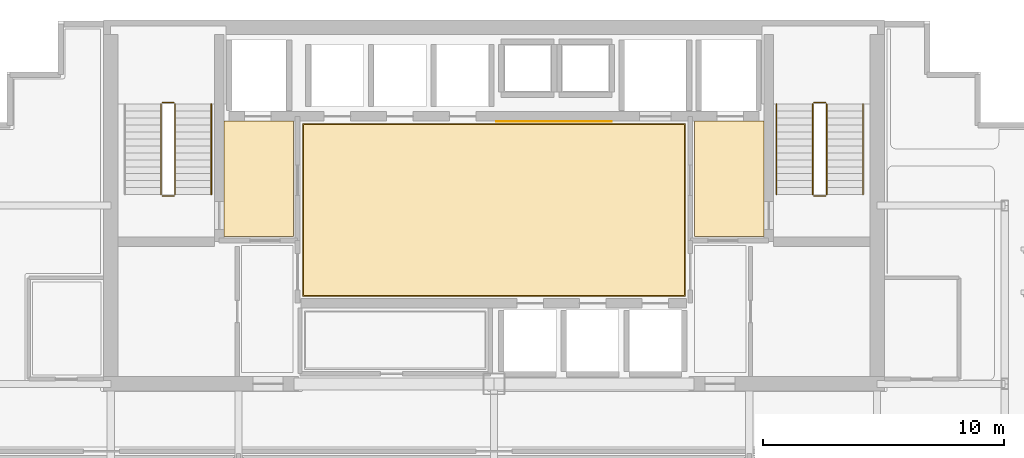
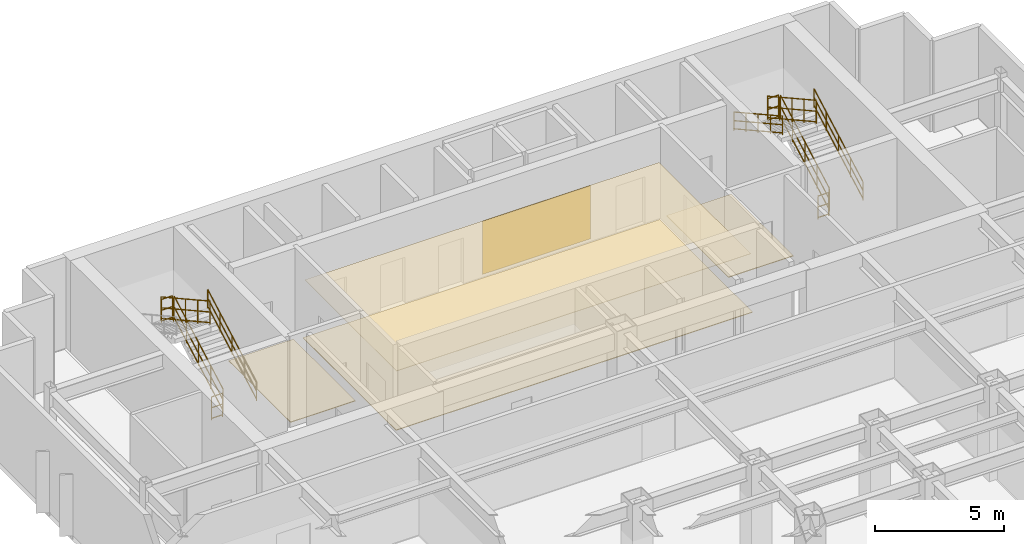
# One storey, part 9 of 9: 11 railings, 5 coverings.
"""IFC4 building model written with IfcOpenShell, lengths in metres."""

import ifcopenshell
import ifcopenshell.guid

model = None  # the IFC model being written
_history = None  # IfcOwnerHistory: only IFC2X3 demands one
_inside = {}  # id of a spatial element -> (the spatial element, [elements in it])
_under = {}  # id of a project, library or spatial element -> (it, [spatial elements below it])
_declared = {}  # id of a project -> (the project, [libraries it declares])
_typed = {}  # id of a type object -> (the type object, [elements of that type])
_made_of = {}  # id of a material, layer set ... -> (it, [elements and type objects made of it])


def new_model(schema):
    """Start an empty IFC model of exactly this schema.

    Asked for "IFC4X3", IfcOpenShell would pick the latest addendum, in which some entities
    have other attributes; the version numbers below select the first issue.
    IFC2X3 requires an IfcOwnerHistory on every rooted entity: one is made here for all.
    """
    global model, _history
    if schema == "IFC4X3":
        model = ifcopenshell.file(schema_version=(4, 3, 0, 0))
    else:
        model = ifcopenshell.file(schema=schema)
    _inside.clear()
    _under.clear()
    _declared.clear()
    _typed.clear()
    _made_of.clear()
    _history = None
    if model.schema == "IFC2X3":
        org = make("IfcOrganization", Name="unknown")
        user = make(
            "IfcPersonAndOrganization",
            ThePerson=make("IfcPerson", FamilyName="unknown"),
            TheOrganization=org,
        )
        app = make(
            "IfcApplication",
            ApplicationDeveloper=org,
            Version="unknown",
            ApplicationFullName="unknown",
            ApplicationIdentifier="unknown",
        )
        _history = make(
            "IfcOwnerHistory",
            OwningUser=user,
            OwningApplication=app,
            ChangeAction="ADDED",
            CreationDate=0,
        )
    return model


def make(cls, **values):
    """One entity of the class cls with the attributes given. An attribute that is None is left unset."""
    return model.create_entity(
        cls, **{name: value for name, value in values.items() if value is not None}
    )


def rooted(cls, **values):
    """An entity with a GlobalId (a new one), such as an element, a storey or a relation."""
    return make(cls, GlobalId=ifcopenshell.guid.new(), OwnerHistory=_history, **values)


def si_unit(unit_type, name, prefix=None):
    """IfcSIUnit, for example si_unit("LENGTHUNIT", "METRE", prefix="MILLI")."""
    return make("IfcSIUnit", UnitType=unit_type, Prefix=prefix, Name=name)


def assignment(units):
    """IfcUnitAssignment: the units of a project."""
    return None if units is None else make("IfcUnitAssignment", Units=units)


def point(xyz):
    """IfcCartesianPoint."""
    return None if xyz is None else make("IfcCartesianPoint", Coordinates=xyz)


def direction(xyz):
    """IfcDirection."""
    return None if xyz is None else make("IfcDirection", DirectionRatios=xyz)


def frame(location, z_axis=None, x_axis=None):
    """IfcAxis2Placement3D, a coordinate frame: its origin and axes. An axis left out is left unset."""
    return make(
        "IfcAxis2Placement3D",
        Location=point(location),
        Axis=direction(z_axis),
        RefDirection=direction(x_axis),
    )


def frame_2d(location, x_axis=None):
    """IfcAxis2Placement2D, a coordinate frame in the plane: its origin and x axis."""
    return make(
        "IfcAxis2Placement2D", Location=point(location), RefDirection=direction(x_axis)
    )


def origin():
    """The frame at (0, 0, 0) with its axes left unset."""
    return frame((0.0, 0.0, 0.0))


def origin_2d():
    """The frame at (0, 0) in the plane with its x axis left unset."""
    return frame_2d((0.0, 0.0))


def place(relative_to, where):
    """IfcLocalPlacement: puts the frame where relative to a parent placement (None: the world)."""
    return make(
        "IfcLocalPlacement", PlacementRelTo=relative_to, RelativePlacement=where
    )


def context(
    kind, dimensions, precision=None, world=None, true_north=None, identifier=None
):
    """IfcGeometricRepresentationContext, for example the 3D "Model" context."""
    return make(
        "IfcGeometricRepresentationContext",
        ContextIdentifier=identifier,
        ContextType=kind,
        CoordinateSpaceDimension=dimensions,
        Precision=precision,
        WorldCoordinateSystem=world,
        TrueNorth=true_north,
    )


def subcontext(parent, identifier, kind, view, scale=None):
    """IfcGeometricRepresentationSubContext, for example "Body" below "Model"."""
    return make(
        "IfcGeometricRepresentationSubContext",
        ContextIdentifier=identifier,
        ContextType=kind,
        ParentContext=parent,
        TargetScale=scale,
        TargetView=view,
    )


def project(units=None, contexts=None):
    """IfcProject with its units and contexts."""
    return rooted(
        "IfcProject",
        Name="project",
        RepresentationContexts=contexts,
        UnitsInContext=assignment(units),
    )


def spatial(cls, under=None, at=None, **own):
    """A site, building, storey or space (cls), placed at a placement, below another one or the project."""
    s = rooted(cls, ObjectPlacement=at, **own)
    if under is not None:
        _under.setdefault(under.id(), (under, []))[1].append(s)
    return s


def polyline(points):
    """IfcPolyline through the points."""
    return make("IfcPolyline", Points=[point(p) for p in points])


def profile(cls, at=None, kind="AREA", **sizes):
    """A parametric profile (cls). Its sizes go by their IFC names, for example OverallWidth=200.0."""
    return make(cls, ProfileType=kind, Position=at, **sizes)


def circle(**sizes):
    """IfcCircleProfileDef."""
    return profile("IfcCircleProfileDef", **sizes)


def outline(outer, holes=None, kind="AREA"):
    """IfcArbitraryClosedProfileDef: a profile drawn as a closed curve; with holes, ...WithVoids."""
    if holes is None:
        return make("IfcArbitraryClosedProfileDef", ProfileType=kind, OuterCurve=outer)
    return make(
        "IfcArbitraryProfileDefWithVoids",
        ProfileType=kind,
        OuterCurve=outer,
        InnerCurves=holes,
    )


def extrude(swept, where, along, depth):
    """IfcExtrudedAreaSolid: the profile swept, set in the frame where, extruded along a direction by depth."""
    return make(
        "IfcExtrudedAreaSolid",
        SweptArea=swept,
        Position=where,
        ExtrudedDirection=direction(along),
        Depth=depth,
    )


def shape(context_of_items, identifier, shape_type, items):
    """IfcShapeRepresentation: the items that make up one representation, for example the "Body"."""
    return make(
        "IfcShapeRepresentation",
        ContextOfItems=context_of_items,
        RepresentationIdentifier=identifier,
        RepresentationType=shape_type,
        Items=items,
    )


def material(Name=None, Category=None):
    """IfcMaterial."""
    return make("IfcMaterial", Name=Name, Category=Category)


def layer(
    of_material, thickness, ventilated=None, Name=None, Category=None, Priority=None
):
    """IfcMaterialLayer: one layer of a wall or slab, of a material (None: an air gap)."""
    return make(
        "IfcMaterialLayer",
        Material=of_material,
        LayerThickness=thickness,
        IsVentilated=ventilated,
        Name=Name,
        Category=Category,
        Priority=Priority,
    )


def layer_set(layers, Name=None):
    """IfcMaterialLayerSet."""
    return make("IfcMaterialLayerSet", MaterialLayers=layers, LayerSetName=Name)


def made_of(thing, what):
    """Note that an element or type object is made of a material, layer set ...; save() writes the relation."""
    if what is not None:
        _made_of.setdefault(what.id(), (what, []))[1].append(thing)
    return thing


def type_object(cls, material=None, **own):
    """A type object (cls), such as IfcWallType, which elements share."""
    return made_of(rooted(cls, **own), material)


def element(
    cls,
    number,
    at=None,
    inside=None,
    cuts=None,
    type_object=None,
    material=None,
    context=None,
    identifier="Body",
    shape_type=None,
    held_by="IfcProductDefinitionShape",
    body=None,
    shapes=None,
    **own,
):
    """One element of the class cls, such as IfcWall. Its Tag is "e" and its number.

    at: its placement. inside: the storey or other place that contains it. cuts: it is an
    opening in that element (IfcRelVoidsElement). A single representation is given by context,
    identifier, shape_type and body (its items); several are given by shapes. held_by: the class
    of the entity that holds the representations. save() writes the other relations.
    """
    e = rooted(cls, Tag="e%d" % number, ObjectPlacement=at, **own)
    if body is not None:
        shapes = [shape(context, identifier, shape_type, body)]
    if shapes is not None:
        e.Representation = make(held_by, Representations=shapes)
    if inside is not None:
        _inside.setdefault(inside.id(), (inside, []))[1].append(e)
    if cuts is not None:
        rooted(
            "IfcRelVoidsElement", RelatingBuildingElement=cuts, RelatedOpeningElement=e
        )
    if type_object is not None:
        _typed.setdefault(type_object.id(), (type_object, []))[1].append(e)
    return made_of(e, material)


def aggregate(whole, parts):
    """IfcRelAggregates: a whole, such as a stair, and the parts it consists of."""
    return rooted("IfcRelAggregates", RelatingObject=whole, RelatedObjects=parts)


def save(model, path):
    """Write the relations noted so far, then the file.

    IfcRelAggregates (storeys below a building ...), IfcRelContainedInSpatialStructure (elements
    in a storey), IfcRelDefinesByType, IfcRelAssociatesMaterial and IfcRelDeclares: one each for
    every whole, place, type object, material and project.
    """
    for whole, parts in _under.values():
        aggregate(whole, parts)
    for where, things in _inside.values():
        rooted(
            "IfcRelContainedInSpatialStructure",
            RelatedElements=things,
            RelatingStructure=where,
        )
    for kind, things in _typed.values():
        rooted("IfcRelDefinesByType", RelatedObjects=things, RelatingType=kind)
    for what, things in _made_of.values():
        rooted("IfcRelAssociatesMaterial", RelatedObjects=things, RelatingMaterial=what)
    for by, libraries in _declared.values():
        rooted("IfcRelDeclares", RelatingContext=by, RelatedDefinitions=libraries)
    model.write(path)


model = new_model("IFC4")

# Units and contexts
model_context = context("Model", 3, precision=1e-05, world=origin(), true_north=direction((0.0, 1.0)))
body_context = subcontext(model_context, "Body", "Model", "MODEL_VIEW")
ifc_project = project(units=[si_unit("LENGTHUNIT", "METRE"), si_unit("AREAUNIT", "SQUARE_METRE"), si_unit("VOLUMEUNIT", "CUBIC_METRE"), si_unit("PLANEANGLEUNIT", "RADIAN"), si_unit("MASSUNIT", "GRAM", prefix="KILO")], contexts=[model_context])

# Site, building, storey
site_placement = place(None, origin())
site = spatial("IfcSite", under=ifc_project, at=site_placement, CompositionType="ELEMENT")
building_placement = place(site_placement, origin())
building = spatial("IfcBuilding", under=site, at=building_placement, Name="Qianlan Lanfeng Residences", CompositionType="ELEMENT")
storey_placement = place(building_placement, frame((0.0, 0.0, 134.699951171875)))
storey = spatial("IfcBuildingStorey", under=building, at=storey_placement, Name="L36", CompositionType="ELEMENT", Elevation=134.699951171875)

# Coverings
ifc_material_1 = material(Name="Anodised Bronze Feature Wall Cladding")
ifc_layer_1 = layer(ifc_material_1, 0.02490234375)
ifc_layer_set_1 = layer_set([ifc_layer_1], Name="Anodised Bronze Feature Wall Cladding")
covering_type_1 = type_object("IfcCoveringType", Name="CLD-BRZ-25", PredefinedType="CLADDING", material=ifc_layer_set_1)
covering_1_placement = place(storey_placement, frame((0.0, 0.0, 0.150146484375)))
element("IfcCovering", 1, at=covering_1_placement, inside=storey, type_object=covering_type_1, Name="L36 Lift Lobby Bronze Feature Cladding", PredefinedType="CLADDING", context=body_context, shape_type="SweptSolid", body=[
    extrude(outline(polyline([(26.60009765625, 36.074951171875), (31.39990234375, 36.074951171875), (31.39990234375, 36.10009765625), (26.60009765625, 36.10009765625), (26.60009765625, 36.074951171875)])), origin(), (0.0, 0.0, 1.0), 2.5),
])
ifc_material_2 = material(Name="Acoustic Perforated Gypsum Ceiling Board")
ifc_layer_2 = layer(ifc_material_2, 0.02001953125)
ifc_layer_set_2 = layer_set([ifc_layer_2], Name="Acoustic Perforated Gypsum Ceiling Board")
covering_type_2 = type_object("IfcCoveringType", Name="CLG-GYP-15", PredefinedType="CEILING", material=ifc_layer_set_2)
covering_2_placement = place(storey_placement, frame((0.0, 0.0, 2.75)))
element("IfcCovering", 2, at=covering_2_placement, inside=storey, type_object=covering_type_2, Name="L36 Lift Lobby Suspended Ceiling", PredefinedType="CEILING", context=body_context, shape_type="SweptSolid", body=[
    extrude(outline(polyline([(18.60009765625, 28.8701171875), (34.39990234375, 28.8701171875), (34.39990234375, 35.9599609375), (18.60009765625, 35.9599609375), (18.60009765625, 28.8701171875)])), origin(), (0.0, 0.0, 1.0), 0.02001953125),
])
ifc_material_3 = material(Name="Honed Taitung Granite Stone Flooring", Category="masonry")
ifc_layer_3 = layer(ifc_material_3, 0.030029296875)
ifc_layer_set_3 = layer_set([ifc_layer_3], Name="Honed Taitung Granite Stone Flooring")
covering_type_3 = type_object("IfcCoveringType", Name="FLR-STN-30", PredefinedType="FLOORING", material=ifc_layer_set_3)
covering_3_placement = place(storey_placement, origin())
element("IfcCovering", 3, at=covering_3_placement, inside=storey, type_object=covering_type_3, Name="L36 Firefighting Lift Lobby Floor Finish", PredefinedType="FLOORING", context=body_context, shape_type="SweptSolid", body=[
    extrude(outline(polyline([(15.2900390625, 31.320068359375), (18.179931640625, 31.320068359375), (18.179931640625, 36.110107421875), (15.2900390625, 36.110107421875), (15.2900390625, 31.320068359375)])), origin(), (0.0, 0.0, 1.0), 0.030029296875),
])
covering_4_placement = place(storey_placement, origin())
element("IfcCovering", 4, at=covering_4_placement, inside=storey, type_object=covering_type_3, Name="L36 Firefighting Lift Lobby Floor Finish", PredefinedType="FLOORING", context=body_context, shape_type="SweptSolid", body=[
    extrude(outline(polyline([(34.820068359375, 31.320068359375), (37.7099609375, 31.320068359375), (37.7099609375, 36.110107421875), (34.820068359375, 36.110107421875), (34.820068359375, 31.320068359375)])), origin(), (0.0, 0.0, 1.0), 0.030029296875),
])
covering_5_placement = place(storey_placement, origin())
element("IfcCovering", 5, at=covering_5_placement, inside=storey, type_object=covering_type_3, Name="L36 Lift Lobby Floor Finish", PredefinedType="FLOORING", context=body_context, shape_type="SweptSolid", body=[
    extrude(outline(polyline([(18.550048828125, 28.820068359375), (34.449951171875, 28.820068359375), (34.449951171875, 36.010009765625), (18.550048828125, 36.010009765625), (18.550048828125, 28.820068359375)])), origin(), (0.0, 0.0, 1.0), 0.030029296875),
])

# Railings
ifc_material_4 = material(Name="Painted Galvanised Steel Guardrail", Category="steel")
railing_type_1 = type_object("IfcRailingType", Name="GR-ST-1120", PredefinedType="GUARDRAIL", material=ifc_material_4)
railing_1_placement = place(storey_placement, frame((13.27001953125, 33.050048828125, 0.16064453125)))
element("IfcRailing", 6, at=railing_1_placement, inside=storey, type_object=railing_type_1, Name="L36 ST-1 stair guard 1", PredefinedType="GUARDRAIL", context=body_context, shape_type="SweptSolid", body=[
    extrude(circle(Radius=0.02392578125, at=origin_2d()), frame((0.0, 0.0, 0.083984375), z_axis=(0.0, 0.874659101714, 0.484738543742), x_axis=(-1.0, 0.0, 0.0)), (0.0, 0.0, 1.0), 4.310302734375),
    extrude(circle(Radius=0.02392578125, at=origin_2d()), frame((0.0, 0.0, 0.58251953125), z_axis=(0.0, 0.874659101714, 0.484738543742), x_axis=(-1.0, 0.0, 0.0)), (0.0, 0.0, 1.0), 4.310302734375),
    extrude(circle(Radius=0.02392578125, at=origin_2d()), frame((0.0, 0.0, 1.09619140625), z_axis=(0.0, 0.874659101714, 0.484738543742), x_axis=(-1.0, 0.0, 0.0)), (0.0, 0.0, 1.0), 4.310302734375),
    extrude(circle(Radius=0.02099609375, at=origin_2d()), origin(), (0.0, 0.0, 1.0), 1.072021484375),
    extrude(circle(Radius=0.02099609375, at=origin_2d()), frame((0.0, 0.9423828125, 0.5224609375)), (0.0, 0.0, 1.0), 1.072021484375),
    extrude(circle(Radius=0.02099609375, at=origin_2d()), frame((0.0, 1.885009765625, 1.044677734375)), (0.0, 0.0, 1.0), 1.072021484375),
    extrude(circle(Radius=0.02099609375, at=origin_2d()), frame((0.0, 2.82763671875, 1.56689453125)), (0.0, 0.0, 1.0), 1.072021484375),
    extrude(circle(Radius=0.02099609375, at=origin_2d()), frame((0.0, 3.77001953125, 2.08935546875)), (0.0, 0.0, 1.0), 1.072021484375),
])
railing_2_placement = place(storey_placement, frame((13.219970703125, 36.8701171875, 2.25)))
element("IfcRailing", 7, at=railing_2_placement, inside=storey, type_object=railing_type_1, Name="L36 ST-1 stair guard 2", PredefinedType="GUARDRAIL", context=body_context, shape_type="SweptSolid", body=[
    extrude(circle(Radius=0.02392578125, at=origin_2d()), frame((0.0, 0.0, 0.083984375), z_axis=(-1.0, 0.0, 0.0), x_axis=(0.0, -1.0, 0.0)), (0.0, 0.0, 1.0), 0.47998046875),
    extrude(circle(Radius=0.02392578125, at=origin_2d()), frame((0.0, 0.0, 0.58251953125), z_axis=(-1.0, 0.0, 0.0), x_axis=(0.0, -1.0, 0.0)), (0.0, 0.0, 1.0), 0.47998046875),
    extrude(circle(Radius=0.02392578125, at=origin_2d()), frame((0.0, 0.0, 1.09619140625), z_axis=(-1.0, 0.0, 0.0), x_axis=(0.0, -1.0, 0.0)), (0.0, 0.0, 1.0), 0.47998046875),
    extrude(circle(Radius=0.02099609375, at=origin_2d()), origin(), (0.0, 0.0, 1.0), 1.072021484375),
    extrude(circle(Radius=0.02099609375, at=origin_2d()), frame((-0.47998046875, 0.0, 0.0)), (0.0, 0.0, 1.0), 1.072021484375),
])
railing_3_placement = place(storey_placement, frame((12.68994140625, 36.820068359375, 2.41064453125)))
element("IfcRailing", 8, at=railing_3_placement, inside=storey, type_object=railing_type_1, Name="L36 ST-1 stair guard 3", PredefinedType="GUARDRAIL", context=body_context, shape_type="SweptSolid", body=[
    extrude(circle(Radius=0.02392578125, at=origin_2d()), frame((0.0, 0.0, 0.083984375), z_axis=(0.0, -0.874659101714, 0.484738543742), x_axis=(1.0, 0.0, 0.0)), (0.0, 0.0, 1.0), 4.310302734375),
    extrude(circle(Radius=0.02392578125, at=origin_2d()), frame((0.0, 0.0, 0.58251953125), z_axis=(0.0, -0.874659101714, 0.484738543742), x_axis=(1.0, 0.0, 0.0)), (0.0, 0.0, 1.0), 4.310302734375),
    extrude(circle(Radius=0.02392578125, at=origin_2d()), frame((0.0, 0.0, 1.09619140625), z_axis=(0.0, -0.874659101714, 0.484738543742), x_axis=(1.0, 0.0, 0.0)), (0.0, 0.0, 1.0), 4.310302734375),
    extrude(circle(Radius=0.02099609375, at=origin_2d()), origin(), (0.0, 0.0, 1.0), 1.072021484375),
    extrude(circle(Radius=0.02099609375, at=origin_2d()), frame((0.0, -0.9423828125, 0.5224609375)), (0.0, 0.0, 1.0), 1.072021484375),
    extrude(circle(Radius=0.02099609375, at=origin_2d()), frame((0.0, -1.885009765625, 1.044677734375)), (0.0, 0.0, 1.0), 1.072021484375),
    extrude(circle(Radius=0.02099609375, at=origin_2d()), frame((0.0, -2.82763671875, 1.56689453125)), (0.0, 0.0, 1.0), 1.072021484375),
    extrude(circle(Radius=0.02099609375, at=origin_2d()), frame((0.0, -3.77001953125, 2.08935546875)), (0.0, 0.0, 1.0), 1.072021484375),
])
railing_4_placement = place(storey_placement, frame((13.219970703125, 33.0, 0.0)))
element("IfcRailing", 9, at=railing_4_placement, inside=storey, type_object=railing_type_1, Name="L36 ST-1 stair guard 4", PredefinedType="GUARDRAIL", context=body_context, shape_type="SweptSolid", body=[
    extrude(circle(Radius=0.02392578125, at=origin_2d()), frame((0.0, 0.0, 0.083984375), z_axis=(-1.0, 0.0, 0.0), x_axis=(0.0, -1.0, 0.0)), (0.0, 0.0, 1.0), 0.47998046875),
    extrude(circle(Radius=0.02392578125, at=origin_2d()), frame((0.0, 0.0, 0.58251953125), z_axis=(-1.0, 0.0, 0.0), x_axis=(0.0, -1.0, 0.0)), (0.0, 0.0, 1.0), 0.47998046875),
    extrude(circle(Radius=0.02392578125, at=origin_2d()), frame((0.0, 0.0, 1.09619140625), z_axis=(-1.0, 0.0, 0.0), x_axis=(0.0, -1.0, 0.0)), (0.0, 0.0, 1.0), 0.47998046875),
    extrude(circle(Radius=0.02099609375, at=origin_2d()), origin(), (0.0, 0.0, 1.0), 1.072021484375),
    extrude(circle(Radius=0.02099609375, at=origin_2d()), frame((-0.47998046875, 0.0, 0.0)), (0.0, 0.0, 1.0), 1.072021484375),
])
railing_5_placement = place(storey_placement, frame((40.31005859375, 33.050048828125, 0.16064453125)))
element("IfcRailing", 10, at=railing_5_placement, inside=storey, type_object=railing_type_1, Name="L36 ST-2 stair guard 1", PredefinedType="GUARDRAIL", context=body_context, shape_type="SweptSolid", body=[
    extrude(circle(Radius=0.02392578125, at=origin_2d()), frame((0.0, 0.0, 0.083984375), z_axis=(0.0, 0.874659101714, 0.484738543742), x_axis=(-1.0, 0.0, 0.0)), (0.0, 0.0, 1.0), 4.310302734375),
    extrude(circle(Radius=0.02392578125, at=origin_2d()), frame((0.0, 0.0, 0.58251953125), z_axis=(0.0, 0.874659101714, 0.484738543742), x_axis=(-1.0, 0.0, 0.0)), (0.0, 0.0, 1.0), 4.310302734375),
    extrude(circle(Radius=0.02392578125, at=origin_2d()), frame((0.0, 0.0, 1.09619140625), z_axis=(0.0, 0.874659101714, 0.484738543742), x_axis=(-1.0, 0.0, 0.0)), (0.0, 0.0, 1.0), 4.310302734375),
    extrude(circle(Radius=0.02099609375, at=origin_2d()), origin(), (0.0, 0.0, 1.0), 1.072021484375),
    extrude(circle(Radius=0.02099609375, at=origin_2d()), frame((0.0, 0.9423828125, 0.5224609375)), (0.0, 0.0, 1.0), 1.072021484375),
    extrude(circle(Radius=0.02099609375, at=origin_2d()), frame((0.0, 1.885009765625, 1.044677734375)), (0.0, 0.0, 1.0), 1.072021484375),
    extrude(circle(Radius=0.02099609375, at=origin_2d()), frame((0.0, 2.82763671875, 1.56689453125)), (0.0, 0.0, 1.0), 1.072021484375),
    extrude(circle(Radius=0.02099609375, at=origin_2d()), frame((0.0, 3.77001953125, 2.08935546875)), (0.0, 0.0, 1.0), 1.072021484375),
])
railing_6_placement = place(storey_placement, frame((40.260009765625, 36.8701171875, 2.25)))
element("IfcRailing", 11, at=railing_6_placement, inside=storey, type_object=railing_type_1, Name="L36 ST-2 stair guard 2", PredefinedType="GUARDRAIL", context=body_context, shape_type="SweptSolid", body=[
    extrude(circle(Radius=0.02392578125, at=origin_2d()), frame((0.0, 0.0, 0.083984375), z_axis=(-1.0, 0.0, 0.0), x_axis=(0.0, -1.0, 0.0)), (0.0, 0.0, 1.0), 0.47998046875),
    extrude(circle(Radius=0.02392578125, at=origin_2d()), frame((0.0, 0.0, 0.58251953125), z_axis=(-1.0, 0.0, 0.0), x_axis=(0.0, -1.0, 0.0)), (0.0, 0.0, 1.0), 0.47998046875),
    extrude(circle(Radius=0.02392578125, at=origin_2d()), frame((0.0, 0.0, 1.09619140625), z_axis=(-1.0, 0.0, 0.0), x_axis=(0.0, -1.0, 0.0)), (0.0, 0.0, 1.0), 0.47998046875),
    extrude(circle(Radius=0.02099609375, at=origin_2d()), origin(), (0.0, 0.0, 1.0), 1.072021484375),
    extrude(circle(Radius=0.02099609375, at=origin_2d()), frame((-0.47998046875, 0.0, 0.0)), (0.0, 0.0, 1.0), 1.072021484375),
])
railing_7_placement = place(storey_placement, frame((39.72998046875, 36.820068359375, 2.41064453125)))
element("IfcRailing", 12, at=railing_7_placement, inside=storey, type_object=railing_type_1, Name="L36 ST-2 stair guard 3", PredefinedType="GUARDRAIL", context=body_context, shape_type="SweptSolid", body=[
    extrude(circle(Radius=0.02392578125, at=origin_2d()), frame((0.0, 0.0, 0.083984375), z_axis=(0.0, -0.874659101714, 0.484738543742), x_axis=(1.0, 0.0, 0.0)), (0.0, 0.0, 1.0), 4.310302734375),
    extrude(circle(Radius=0.02392578125, at=origin_2d()), frame((0.0, 0.0, 0.58251953125), z_axis=(0.0, -0.874659101714, 0.484738543742), x_axis=(1.0, 0.0, 0.0)), (0.0, 0.0, 1.0), 4.310302734375),
    extrude(circle(Radius=0.02392578125, at=origin_2d()), frame((0.0, 0.0, 1.09619140625), z_axis=(0.0, -0.874659101714, 0.484738543742), x_axis=(1.0, 0.0, 0.0)), (0.0, 0.0, 1.0), 4.310302734375),
    extrude(circle(Radius=0.02099609375, at=origin_2d()), origin(), (0.0, 0.0, 1.0), 1.072021484375),
    extrude(circle(Radius=0.02099609375, at=origin_2d()), frame((0.0, -0.9423828125, 0.5224609375)), (0.0, 0.0, 1.0), 1.072021484375),
    extrude(circle(Radius=0.02099609375, at=origin_2d()), frame((0.0, -1.885009765625, 1.044677734375)), (0.0, 0.0, 1.0), 1.072021484375),
    extrude(circle(Radius=0.02099609375, at=origin_2d()), frame((0.0, -2.82763671875, 1.56689453125)), (0.0, 0.0, 1.0), 1.072021484375),
    extrude(circle(Radius=0.02099609375, at=origin_2d()), frame((0.0, -3.77001953125, 2.08935546875)), (0.0, 0.0, 1.0), 1.072021484375),
])
railing_8_placement = place(storey_placement, frame((40.260009765625, 33.0, 0.0)))
element("IfcRailing", 13, at=railing_8_placement, inside=storey, type_object=railing_type_1, Name="L36 ST-2 stair guard 4", PredefinedType="GUARDRAIL", context=body_context, shape_type="SweptSolid", body=[
    extrude(circle(Radius=0.02392578125, at=origin_2d()), frame((0.0, 0.0, 0.083984375), z_axis=(-1.0, 0.0, 0.0), x_axis=(0.0, -1.0, 0.0)), (0.0, 0.0, 1.0), 0.47998046875),
    extrude(circle(Radius=0.02392578125, at=origin_2d()), frame((0.0, 0.0, 0.58251953125), z_axis=(-1.0, 0.0, 0.0), x_axis=(0.0, -1.0, 0.0)), (0.0, 0.0, 1.0), 0.47998046875),
    extrude(circle(Radius=0.02392578125, at=origin_2d()), frame((0.0, 0.0, 1.09619140625), z_axis=(-1.0, 0.0, 0.0), x_axis=(0.0, -1.0, 0.0)), (0.0, 0.0, 1.0), 0.47998046875),
    extrude(circle(Radius=0.02099609375, at=origin_2d()), origin(), (0.0, 0.0, 1.0), 1.072021484375),
    extrude(circle(Radius=0.02099609375, at=origin_2d()), frame((-0.47998046875, 0.0, 0.0)), (0.0, 0.0, 1.0), 1.072021484375),
])
ifc_material_5 = material(Name="Brushed Stainless Steel Handrail", Category="steel")
railing_type_2 = type_object("IfcRailingType", Name="HR-ST-920", PredefinedType="HANDRAIL", material=ifc_material_5)
for number, where, name in (
    (14, (14.77001953125, 33.050048828125, 0.16064453125), "L36 ST-1 stair handrail 1"),
    (15, (41.81005859375, 33.050048828125, 0.16064453125), "L36 ST-2 stair handrail 1"),
):
    element("IfcRailing", number, at=place(storey_placement, frame(where)), inside=storey, type_object=railing_type_2, Name=name, PredefinedType="HANDRAIL", context=body_context, shape_type="SweptSolid", body=[
        extrude(circle(Radius=0.02392578125, at=origin_2d()), frame((0.0, 0.0, 0.083984375), z_axis=(0.0, 0.874659101714, 0.484738543742), x_axis=(-1.0, 0.0, 0.0)), (0.0, 0.0, 1.0), 4.310302734375),
        extrude(circle(Radius=0.02392578125, at=origin_2d()), frame((0.0, 0.0, 0.468017578125), z_axis=(0.0, 0.874659101714, 0.484738543742), x_axis=(-1.0, 0.0, 0.0)), (0.0, 0.0, 1.0), 4.310302734375),
        extrude(circle(Radius=0.02392578125, at=origin_2d()), frame((0.0, 0.0, 0.8759765625), z_axis=(0.0, 0.874659101714, 0.484738543742), x_axis=(-1.0, 0.0, 0.0)), (0.0, 0.0, 1.0), 4.310302734375),
        extrude(circle(Radius=0.02099609375, at=origin_2d()), origin(), (0.0, 0.0, 1.0), 0.851806640625),
        extrude(circle(Radius=0.02099609375, at=origin_2d()), frame((0.0, 0.9423828125, 0.5224609375)), (0.0, 0.0, 1.0), 0.851806640625),
        extrude(circle(Radius=0.02099609375, at=origin_2d()), frame((0.0, 1.885009765625, 1.044677734375)), (0.0, 0.0, 1.0), 0.851806640625),
        extrude(circle(Radius=0.02099609375, at=origin_2d()), frame((0.0, 2.82763671875, 1.56689453125)), (0.0, 0.0, 1.0), 0.851806640625),
        extrude(circle(Radius=0.02099609375, at=origin_2d()), frame((0.0, 3.77001953125, 2.08935546875)), (0.0, 0.0, 1.0), 0.851806640625),
    ])
railing_9_placement = place(storey_placement, frame((38.22998046875, 36.820068359375, 2.41064453125)))
element("IfcRailing", 16, at=railing_9_placement, inside=storey, type_object=railing_type_2, Name="L36 ST-2 stair handrail 2", PredefinedType="HANDRAIL", context=body_context, shape_type="SweptSolid", body=[
    extrude(circle(Radius=0.02392578125, at=origin_2d()), frame((0.0, 0.0, 0.083984375), z_axis=(0.0, -0.874659101714, 0.484738543742), x_axis=(1.0, 0.0, 0.0)), (0.0, 0.0, 1.0), 4.310302734375),
    extrude(circle(Radius=0.02392578125, at=origin_2d()), frame((0.0, 0.0, 0.468017578125), z_axis=(0.0, -0.874659101714, 0.484738543742), x_axis=(1.0, 0.0, 0.0)), (0.0, 0.0, 1.0), 4.310302734375),
    extrude(circle(Radius=0.02392578125, at=origin_2d()), frame((0.0, 0.0, 0.8759765625), z_axis=(0.0, -0.874659101714, 0.484738543742), x_axis=(1.0, 0.0, 0.0)), (0.0, 0.0, 1.0), 4.310302734375),
    extrude(circle(Radius=0.02099609375, at=origin_2d()), origin(), (0.0, 0.0, 1.0), 0.851806640625),
    extrude(circle(Radius=0.02099609375, at=origin_2d()), frame((0.0, -0.9423828125, 0.5224609375)), (0.0, 0.0, 1.0), 0.851806640625),
    extrude(circle(Radius=0.02099609375, at=origin_2d()), frame((0.0, -1.885009765625, 1.044677734375)), (0.0, 0.0, 1.0), 0.851806640625),
    extrude(circle(Radius=0.02099609375, at=origin_2d()), frame((0.0, -2.82763671875, 1.56689453125)), (0.0, 0.0, 1.0), 0.851806640625),
    extrude(circle(Radius=0.02099609375, at=origin_2d()), frame((0.0, -3.77001953125, 2.08935546875)), (0.0, 0.0, 1.0), 0.851806640625),
])

save(model, "model.ifc")
